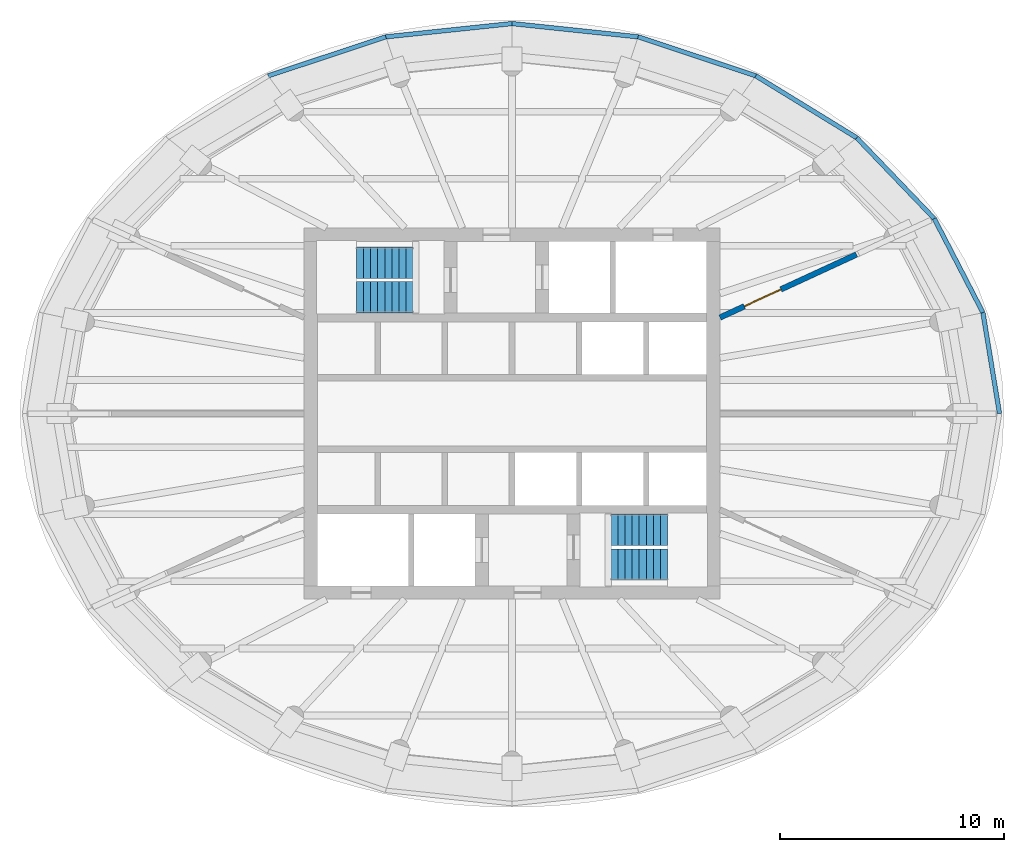
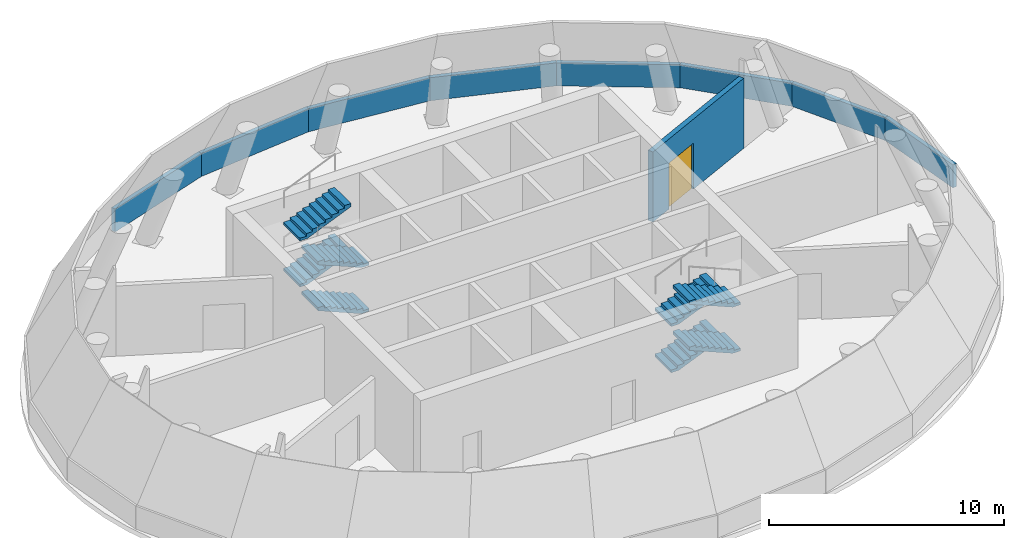
# One storey, part 5 of 6: 9 walls, 8 stair flights, 1 door, 1 opening, 2 elements without a shape of their own.
"""IFC4 building model written with IfcOpenShell, lengths in metres."""

from ifc_helpers import new_model, si_unit, direction, frame, frame_2d, origin, place, context, subcontext, project, spatial, polyline, rectangle, outline, extrude, material, layer, layer_set, type_object, element, fill, aggregate, save


model = new_model("IFC4")

# Units and contexts
model_context = context("Model", 3, precision=1e-05, world=origin(), true_north=direction((0.0, 1.0)))
body_context = subcontext(model_context, "Body", "Model", "MODEL_VIEW")
ifc_project = project(units=[si_unit("LENGTHUNIT", "METRE"), si_unit("AREAUNIT", "SQUARE_METRE"), si_unit("VOLUMEUNIT", "CUBIC_METRE"), si_unit("PLANEANGLEUNIT", "RADIAN"), si_unit("MASSUNIT", "GRAM", prefix="KILO")], contexts=[model_context])

# Site, building, storey
site_placement = place(None, origin())
site = spatial("IfcSite", under=ifc_project, at=site_placement, CompositionType="ELEMENT")
building_placement = place(site_placement, origin())
building = spatial("IfcBuilding", under=site, at=building_placement, Name="Hankou Lantern Tower", CompositionType="ELEMENT")
storey_placement = place(building_placement, frame((0.0, 0.0, 232.5)))
storey = spatial("IfcBuildingStorey", under=building, at=storey_placement, Name="L63", CompositionType="ELEMENT", Elevation=232.5)

# Walls
ifc_material_1 = material(Name="Precast concrete C40 spandrel", Category="concrete")
ifc_layer_1 = layer(ifc_material_1, 0.199951171875)
ifc_layer_set_1 = layer_set([ifc_layer_1], Name="Precast concrete C40 spandrel")
wall_type_1 = type_object("IfcWallType", Name="EW3 SPANDREL WALL 200", PredefinedType="PARAPET", material=ifc_layer_set_1)
wall_1_placement = place(storey_placement, frame((21.800048828125, 0.0, 0.0), z_axis=(0.0, 0.0, 1.0), x_axis=(-0.162399504849, 0.986725088778, 0.0)))
element("IfcWall", 1, at=wall_1_placement, inside=storey, type_object=wall_type_1, Name="Spandrel wall R01 L63", PredefinedType="PARAPET", context=body_context, shape_type="SweptSolid", body=[
    extrude(rectangle(XDim=4.57470703125, YDim=0.199951171875, at=frame_2d((2.287353515625, 0.0))), origin(), (0.0, 0.0, 1.0), 1.199951171875),
])
wall_2_placement = place(storey_placement, frame((21.05712890625, 4.513916015625, 0.0), z_axis=(0.0, 0.0, 1.0), x_axis=(-0.45978747157, 0.88802898657, 0.0)))
element("IfcWall", 2, at=wall_2_placement, inside=storey, type_object=wall_type_1, Name="Spandrel wall R02 L63", PredefinedType="PARAPET", context=body_context, shape_type="SweptSolid", body=[
    extrude(rectangle(XDim=4.736328125, YDim=0.199951171875, at=frame_2d((2.3681640625, 0.0))), origin(), (0.0, 0.0, 1.0), 1.199951171875),
])
wall_3_placement = place(storey_placement, frame((18.87939453125, 8.719970703125, 0.0), z_axis=(0.0, 0.0, 1.0), x_axis=(-0.692196666116, 0.721708927074, 0.0)))
element("IfcWall", 3, at=wall_3_placement, inside=storey, type_object=wall_type_1, Name="Spandrel wall R03 L63", PredefinedType="PARAPET", context=body_context, shape_type="SweptSolid", body=[
    extrude(rectangle(XDim=5.0048828125, YDim=0.199951171875, at=frame_2d((2.50244140625, 0.0))), origin(), (0.0, 0.0, 1.0), 1.199951171875),
])
wall_4_placement = place(storey_placement, frame((15.4150390625, 12.33203125, 0.0), z_axis=(0.0, 0.0, 1.0), x_axis=(-0.8522526892, 0.523130341073, 0.0)))
element("IfcWall", 4, at=wall_4_placement, inside=storey, type_object=wall_type_1, Name="Spandrel wall R04 L63", PredefinedType="PARAPET", context=body_context, shape_type="SweptSolid", body=[
    extrude(rectangle(XDim=5.2978515625, YDim=0.199951171875, at=frame_2d((2.64892578125, 0.0))), origin(), (0.0, 0.0, 1.0), 1.199951171875),
])
wall_5_placement = place(storey_placement, frame((10.89990234375, 15.103515625, 0.0), z_axis=(0.0, 0.0, 1.0), x_axis=(-0.949241615064, 0.31454786, 0.0)))
element("IfcWall", 5, at=wall_5_placement, inside=storey, type_object=wall_type_1, Name="Spandrel wall R05 L63", PredefinedType="PARAPET", context=body_context, shape_type="SweptSolid", body=[
    extrude(rectangle(XDim=5.538818359375, YDim=0.199951171875, at=frame_2d((2.76953125, 0.0))), origin(), (0.0, 0.0, 1.0), 1.199951171875),
])
for number, where, z_axis, x_axis, name in (
    (6, (5.642333984375, 16.845703125, 0.0), (0.0, 0.0, 1.0), (-0.994499792538, 0.104738544201, 0.0), "Spandrel wall R06 L63"),
    (7, (0.0, 17.43994140625, 0.0), (0.0, 0.0, 1.0), (-0.994499792538, -0.104738544201, 0.0), "Spandrel wall R07 L63"),
):
    element("IfcWall", number, at=place(storey_placement, frame(where, z_axis=z_axis, x_axis=x_axis)), inside=storey, type_object=wall_type_1, Name=name, PredefinedType="PARAPET", context=body_context, shape_type="SweptSolid", body=[
        extrude(rectangle(XDim=5.673583984375, YDim=0.199951171875, at=frame_2d((2.8369140625, 0.0))), origin(), (0.0, 0.0, 1.0), 1.199951171875),
    ])
wall_6_placement = place(storey_placement, frame((-5.642333984375, 16.845703125, 0.0), z_axis=(0.0, 0.0, 1.0), x_axis=(-0.949241615064, -0.31454786, 0.0)))
element("IfcWall", 8, at=wall_6_placement, inside=storey, type_object=wall_type_1, Name="Spandrel wall R08 L63", PredefinedType="PARAPET", context=body_context, shape_type="SweptSolid", body=[
    extrude(rectangle(XDim=5.538818359375, YDim=0.199951171875, at=frame_2d((2.76953125, 0.0))), origin(), (0.0, 0.0, 1.0), 1.199951171875),
])

# Wall, opening, door
ifc_material_2 = material(Name="Masonry dense concrete block", Category="masonry")
ifc_layer_2 = layer(ifc_material_2, 0.25)
ifc_layer_set_2 = layer_set([ifc_layer_2], Name="Masonry dense concrete block")
wall_type_2 = type_object("IfcWallType", Name="IW5 PLANT ROOM FIRE WALL 250", PredefinedType="PARTITIONING", material=ifc_layer_set_2)
wall_7_placement = place(storey_placement, frame((9.300048828125, 4.29541015625, 0.0), z_axis=(0.0, 0.0, 1.0), x_axis=(0.907838212452, 0.419320617204, 0.0)))
wall_7 = element("IfcWall", 9, at=wall_7_placement, inside=storey, type_object=wall_type_2, Name="Plant room fire wall R03", PredefinedType="PARTITIONING", context=body_context, shape_type="SweptSolid", body=[
    extrude(rectangle(XDim=6.724853515625, YDim=0.25, at=frame_2d((3.3623046875, 0.0))), origin(), (0.0, 0.0, 1.0), 3.64990234375),
])
opening_placement = place(wall_7_placement, frame((1.199951171875, 0.0, 0.0)))
opening = element("IfcOpeningElement", 10, at=opening_placement, cuts=wall_7, Name="Opening D9", PredefinedType="OPENING", context=body_context, shape_type="SweptSolid", body=[
    extrude(rectangle(XDim=1.800048828125, YDim=2.39990234375, at=frame_2d((0.89990234375, 1.199951171875))), frame((0.0, 0.135009765625, 0.0), z_axis=(0.0, -1.0, 0.0), x_axis=(1.0, 0.0, 0.0)), (0.0, 0.0, 1.0), 0.27001953125),
])
ifc_material_3 = material(Name="Steel door leaf", Category="steel")
door_type = type_object("IfcDoorType", Name="D9 PLANT ROOM DOOR 1800X2400", OperationType="DOUBLE_DOOR_DOUBLE_SWING", PredefinedType="DOOR", material=ifc_material_3)
door_placement = place(opening_placement, origin())
door = element("IfcDoor", 11, at=door_placement, inside=storey, type_object=door_type, Name="Plant room door R03", OperationType="DOUBLE_DOOR_DOUBLE_SWING", OverallHeight=2.39990234375, OverallWidth=1.800048828125, PredefinedType="DOOR", context=body_context, shape_type="SweptSolid", body=[
    extrude(rectangle(XDim=1.800048828125, YDim=2.39990234375, at=frame_2d((0.89990234375, 1.199951171875))), frame((0.0, 0.02490234375, 0.0), z_axis=(0.0, -1.0, 0.0), x_axis=(1.0, 0.0, 0.0)), (0.0, 0.0, 1.0), 0.050048828125),
])
fill(opening, door)

# Stair, stair flights
ifc_material_4 = material(Name="Concrete C40", Category="concrete")
stair_type = type_object("IfcStairType", Name="ST48 CORE STAIR 4800 RISE", PredefinedType="HALF_TURN_STAIR", material=ifc_material_4)
stair_1_placement = place(storey_placement, origin())
stair_1 = element("IfcStair", 12, at=stair_1_placement, inside=storey, type_object=stair_type, Name="Stair STA L63", PredefinedType="HALF_TURN_STAIR")
ifc_material_5 = material(Name="Concrete C40", Category="concrete")
stair_flight_type = type_object("IfcStairFlightType", Name="CF9 CORE STAIR FLIGHT 1400 X 9 RISERS", PredefinedType="STRAIGHT", material=ifc_material_5)
stair_flight_1_placement = place(storey_placement, frame((-4.429931640625, 5.199951171875, 0.0), z_axis=(0.0, 0.0, 1.0), x_axis=(-1.0, 0.0, 0.0)))
stair_flight_1 = element("IfcStairFlight", 13, at=stair_flight_1_placement, type_object=stair_flight_type, Name="STA flight 1", NumberOfRisers=9, NumberOfTreads=8, PredefinedType="STRAIGHT", RiserHeight=0.133333333, TreadLength=0.315, context=body_context, shape_type="SweptSolid", body=[
    extrude(outline(polyline([(0.0, 0.0), (0.0, 0.13330078125), (0.31494140625, 0.13330078125), (0.31494140625, 0.2666015625), (0.6298828125, 0.2666015625), (0.6298828125, 0.39990234375), (0.945068359375, 0.39990234375), (0.945068359375, 0.533447265625), (1.260009765625, 0.533447265625), (1.260009765625, 0.666748046875), (1.574951171875, 0.666748046875), (1.574951171875, 0.800048828125), (1.889892578125, 0.800048828125), (1.889892578125, 0.933349609375), (2.205078125, 0.933349609375), (2.205078125, 1.066650390625), (2.52001953125, 1.066650390625), (2.52001953125, 1.199951171875), (2.52001953125, 0.90380859375), (0.384521484375, 0.0), (0.0, 0.0)])), frame((0.0, 0.699951171875, 0.0), z_axis=(0.0, -1.0, 0.0), x_axis=(1.0, 0.0, 0.0)), (0.0, 0.0, 1.0), 1.39990234375),
])
stair_flight_2_placement = place(storey_placement, frame((-6.949951171875, 6.75, 1.199951171875), z_axis=(0.0, 0.0, 1.0), x_axis=(1.0, 0.0, 0.0)))
stair_flight_2 = element("IfcStairFlight", 14, at=stair_flight_2_placement, type_object=stair_flight_type, Name="STA flight 2", NumberOfRisers=9, NumberOfTreads=8, PredefinedType="STRAIGHT", RiserHeight=0.133333333, TreadLength=0.315, context=body_context, shape_type="SweptSolid", body=[
    extrude(outline(polyline([(0.0, 0.0), (0.0, 0.13330078125), (0.31494140625, 0.13330078125), (0.31494140625, 0.2666015625), (0.6298828125, 0.2666015625), (0.6298828125, 0.39990234375), (0.945068359375, 0.39990234375), (0.945068359375, 0.533447265625), (1.260009765625, 0.533447265625), (1.260009765625, 0.666748046875), (1.574951171875, 0.666748046875), (1.574951171875, 0.800048828125), (1.889892578125, 0.800048828125), (1.889892578125, 0.933349609375), (2.205078125, 0.933349609375), (2.205078125, 1.066650390625), (2.52001953125, 1.066650390625), (2.52001953125, 1.199951171875), (2.52001953125, 0.90380859375), (0.384521484375, 0.0), (0.0, 0.0)])), frame((0.0, 0.699951171875, 0.0), z_axis=(0.0, -1.0, 0.0), x_axis=(1.0, 0.0, 0.0)), (0.0, 0.0, 1.0), 1.39990234375),
])
stair_flight_3_placement = place(storey_placement, frame((-4.429931640625, 5.199951171875, 2.39990234375), z_axis=(0.0, 0.0, 1.0), x_axis=(-1.0, 0.0, 0.0)))
stair_flight_3 = element("IfcStairFlight", 15, at=stair_flight_3_placement, type_object=stair_flight_type, Name="STA flight 3", NumberOfRisers=9, NumberOfTreads=8, PredefinedType="STRAIGHT", RiserHeight=0.133333333, TreadLength=0.315, context=body_context, shape_type="SweptSolid", body=[
    extrude(outline(polyline([(0.0, 0.0), (0.0, 0.13330078125), (0.31494140625, 0.13330078125), (0.31494140625, 0.2666015625), (0.6298828125, 0.2666015625), (0.6298828125, 0.39990234375), (0.945068359375, 0.39990234375), (0.945068359375, 0.533447265625), (1.260009765625, 0.533447265625), (1.260009765625, 0.666748046875), (1.574951171875, 0.666748046875), (1.574951171875, 0.800048828125), (1.889892578125, 0.800048828125), (1.889892578125, 0.933349609375), (2.205078125, 0.933349609375), (2.205078125, 1.066650390625), (2.52001953125, 1.066650390625), (2.52001953125, 1.199951171875), (2.52001953125, 0.90380859375), (0.384521484375, 0.0), (0.0, 0.0)])), frame((0.0, 0.699951171875, 0.0), z_axis=(0.0, -1.0, 0.0), x_axis=(1.0, 0.0, 0.0)), (0.0, 0.0, 1.0), 1.39990234375),
])
stair_flight_4_placement = place(storey_placement, frame((-6.949951171875, 6.75, 3.60009765625), z_axis=(0.0, 0.0, 1.0), x_axis=(1.0, 0.0, 0.0)))
stair_flight_4 = element("IfcStairFlight", 16, at=stair_flight_4_placement, type_object=stair_flight_type, Name="STA flight 4", NumberOfRisers=9, NumberOfTreads=8, PredefinedType="STRAIGHT", RiserHeight=0.133333333, TreadLength=0.315, context=body_context, shape_type="SweptSolid", body=[
    extrude(outline(polyline([(0.0, 0.0), (0.0, 0.13330078125), (0.31494140625, 0.13330078125), (0.31494140625, 0.2666015625), (0.6298828125, 0.2666015625), (0.6298828125, 0.39990234375), (0.945068359375, 0.39990234375), (0.945068359375, 0.533447265625), (1.260009765625, 0.533447265625), (1.260009765625, 0.666748046875), (1.574951171875, 0.666748046875), (1.574951171875, 0.800048828125), (1.889892578125, 0.800048828125), (1.889892578125, 0.933349609375), (2.205078125, 0.933349609375), (2.205078125, 1.066650390625), (2.52001953125, 1.066650390625), (2.52001953125, 1.199951171875), (2.52001953125, 0.90380859375), (0.384521484375, 0.0), (0.0, 0.0)])), frame((0.0, 0.699951171875, 0.0), z_axis=(0.0, -1.0, 0.0), x_axis=(1.0, 0.0, 0.0)), (0.0, 0.0, 1.0), 1.39990234375),
])
aggregate(stair_1, [stair_flight_1, stair_flight_2, stair_flight_3, stair_flight_4])

stair_2_placement = place(storey_placement, origin())
stair_2 = element("IfcStair", 17, at=stair_2_placement, inside=storey, type_object=stair_type, Name="Stair STB L63", PredefinedType="HALF_TURN_STAIR")
stair_flight_5_placement = place(storey_placement, frame((4.429931640625, -5.199951171875, 0.0), z_axis=(0.0, 0.0, 1.0), x_axis=(1.0, 0.0, 0.0)))
stair_flight_5 = element("IfcStairFlight", 18, at=stair_flight_5_placement, type_object=stair_flight_type, Name="STB flight 1", NumberOfRisers=9, NumberOfTreads=8, PredefinedType="STRAIGHT", RiserHeight=0.133333333, TreadLength=0.315, context=body_context, shape_type="SweptSolid", body=[
    extrude(outline(polyline([(0.0, 0.0), (0.0, 0.13330078125), (0.31494140625, 0.13330078125), (0.31494140625, 0.2666015625), (0.6298828125, 0.2666015625), (0.6298828125, 0.39990234375), (0.945068359375, 0.39990234375), (0.945068359375, 0.533447265625), (1.260009765625, 0.533447265625), (1.260009765625, 0.666748046875), (1.574951171875, 0.666748046875), (1.574951171875, 0.800048828125), (1.889892578125, 0.800048828125), (1.889892578125, 0.933349609375), (2.205078125, 0.933349609375), (2.205078125, 1.066650390625), (2.52001953125, 1.066650390625), (2.52001953125, 1.199951171875), (2.52001953125, 0.90380859375), (0.384521484375, 0.0), (0.0, 0.0)])), frame((0.0, 0.699951171875, 0.0), z_axis=(0.0, -1.0, 0.0), x_axis=(1.0, 0.0, 0.0)), (0.0, 0.0, 1.0), 1.39990234375),
])
stair_flight_6_placement = place(storey_placement, frame((6.949951171875, -6.75, 1.199951171875), z_axis=(0.0, 0.0, 1.0), x_axis=(-1.0, 0.0, 0.0)))
stair_flight_6 = element("IfcStairFlight", 19, at=stair_flight_6_placement, type_object=stair_flight_type, Name="STB flight 2", NumberOfRisers=9, NumberOfTreads=8, PredefinedType="STRAIGHT", RiserHeight=0.133333333, TreadLength=0.315, context=body_context, shape_type="SweptSolid", body=[
    extrude(outline(polyline([(0.0, 0.0), (0.0, 0.13330078125), (0.31494140625, 0.13330078125), (0.31494140625, 0.2666015625), (0.6298828125, 0.2666015625), (0.6298828125, 0.39990234375), (0.945068359375, 0.39990234375), (0.945068359375, 0.533447265625), (1.260009765625, 0.533447265625), (1.260009765625, 0.666748046875), (1.574951171875, 0.666748046875), (1.574951171875, 0.800048828125), (1.889892578125, 0.800048828125), (1.889892578125, 0.933349609375), (2.205078125, 0.933349609375), (2.205078125, 1.066650390625), (2.52001953125, 1.066650390625), (2.52001953125, 1.199951171875), (2.52001953125, 0.90380859375), (0.384521484375, 0.0), (0.0, 0.0)])), frame((0.0, 0.699951171875, 0.0), z_axis=(0.0, -1.0, 0.0), x_axis=(1.0, 0.0, 0.0)), (0.0, 0.0, 1.0), 1.39990234375),
])
stair_flight_7_placement = place(storey_placement, frame((4.429931640625, -5.199951171875, 2.39990234375), z_axis=(0.0, 0.0, 1.0), x_axis=(1.0, 0.0, 0.0)))
stair_flight_7 = element("IfcStairFlight", 20, at=stair_flight_7_placement, type_object=stair_flight_type, Name="STB flight 3", NumberOfRisers=9, NumberOfTreads=8, PredefinedType="STRAIGHT", RiserHeight=0.133333333, TreadLength=0.315, context=body_context, shape_type="SweptSolid", body=[
    extrude(outline(polyline([(0.0, 0.0), (0.0, 0.13330078125), (0.31494140625, 0.13330078125), (0.31494140625, 0.2666015625), (0.6298828125, 0.2666015625), (0.6298828125, 0.39990234375), (0.945068359375, 0.39990234375), (0.945068359375, 0.533447265625), (1.260009765625, 0.533447265625), (1.260009765625, 0.666748046875), (1.574951171875, 0.666748046875), (1.574951171875, 0.800048828125), (1.889892578125, 0.800048828125), (1.889892578125, 0.933349609375), (2.205078125, 0.933349609375), (2.205078125, 1.066650390625), (2.52001953125, 1.066650390625), (2.52001953125, 1.199951171875), (2.52001953125, 0.90380859375), (0.384521484375, 0.0), (0.0, 0.0)])), frame((0.0, 0.699951171875, 0.0), z_axis=(0.0, -1.0, 0.0), x_axis=(1.0, 0.0, 0.0)), (0.0, 0.0, 1.0), 1.39990234375),
])
stair_flight_8_placement = place(storey_placement, frame((6.949951171875, -6.75, 3.60009765625), z_axis=(0.0, 0.0, 1.0), x_axis=(-1.0, 0.0, 0.0)))
stair_flight_8 = element("IfcStairFlight", 21, at=stair_flight_8_placement, type_object=stair_flight_type, Name="STB flight 4", NumberOfRisers=9, NumberOfTreads=8, PredefinedType="STRAIGHT", RiserHeight=0.133333333, TreadLength=0.315, context=body_context, shape_type="SweptSolid", body=[
    extrude(outline(polyline([(0.0, 0.0), (0.0, 0.13330078125), (0.31494140625, 0.13330078125), (0.31494140625, 0.2666015625), (0.6298828125, 0.2666015625), (0.6298828125, 0.39990234375), (0.945068359375, 0.39990234375), (0.945068359375, 0.533447265625), (1.260009765625, 0.533447265625), (1.260009765625, 0.666748046875), (1.574951171875, 0.666748046875), (1.574951171875, 0.800048828125), (1.889892578125, 0.800048828125), (1.889892578125, 0.933349609375), (2.205078125, 0.933349609375), (2.205078125, 1.066650390625), (2.52001953125, 1.066650390625), (2.52001953125, 1.199951171875), (2.52001953125, 0.90380859375), (0.384521484375, 0.0), (0.0, 0.0)])), frame((0.0, 0.699951171875, 0.0), z_axis=(0.0, -1.0, 0.0), x_axis=(1.0, 0.0, 0.0)), (0.0, 0.0, 1.0), 1.39990234375),
])
aggregate(stair_2, [stair_flight_5, stair_flight_6, stair_flight_7, stair_flight_8])

save(model, "model.ifc")
